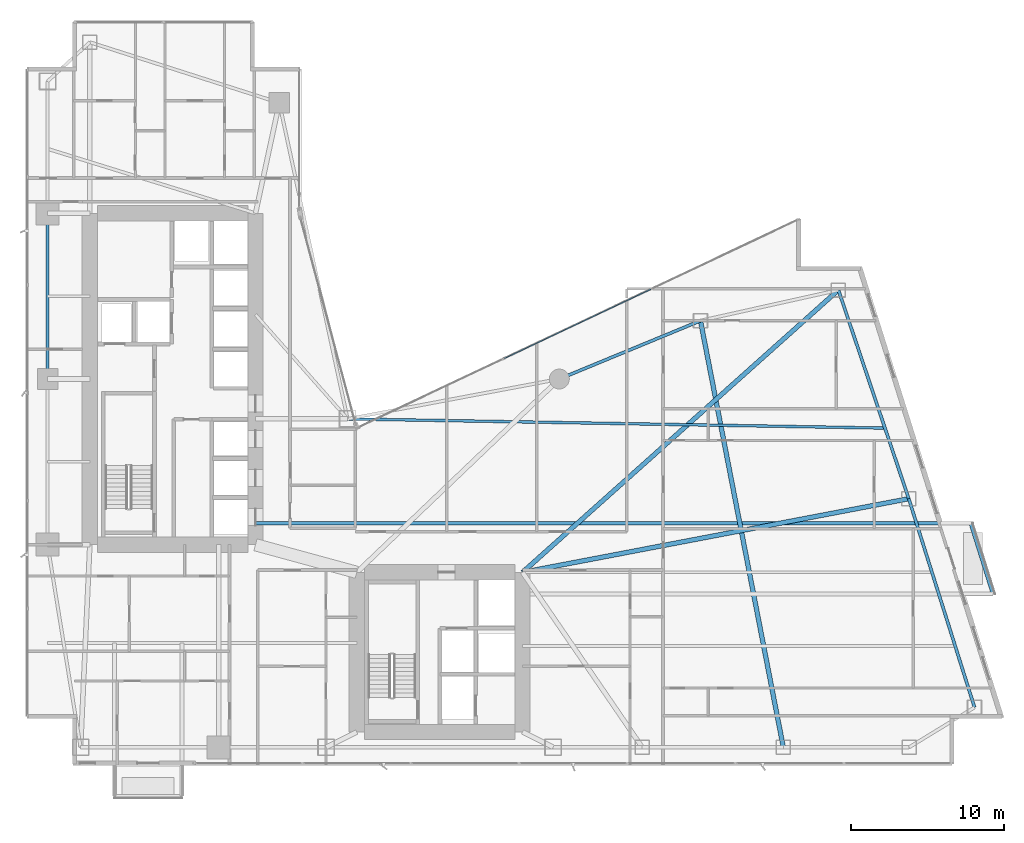
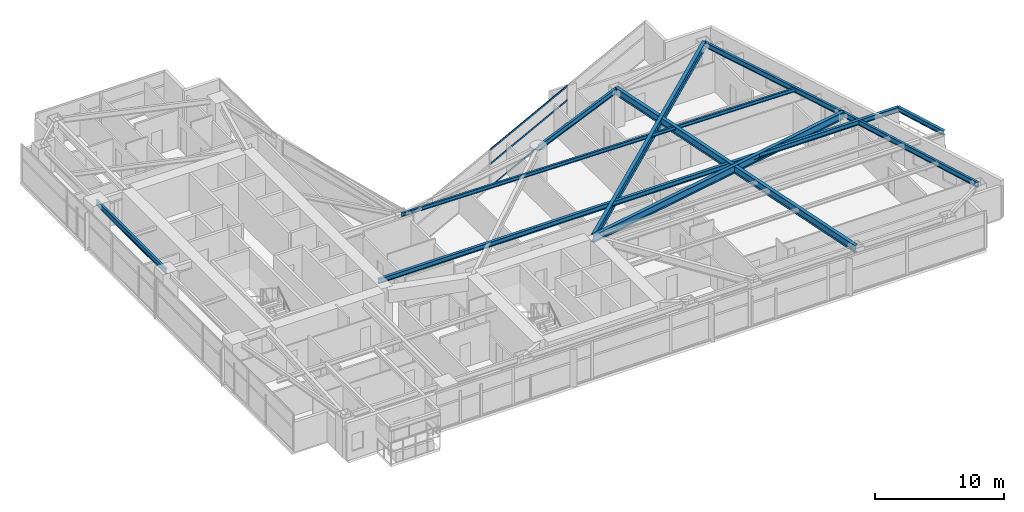
# One storey, part 15 of 29: 10 beams, 3 members, 1 element without a shape of its own.
"""IFC4 building model written with IfcOpenShell, lengths in metres."""

import ifcopenshell
import ifcopenshell.guid

model = None  # the IFC model being written
_history = None  # IfcOwnerHistory: only IFC2X3 demands one
_inside = {}  # id of a spatial element -> (the spatial element, [elements in it])
_under = {}  # id of a project, library or spatial element -> (it, [spatial elements below it])
_declared = {}  # id of a project -> (the project, [libraries it declares])
_typed = {}  # id of a type object -> (the type object, [elements of that type])
_made_of = {}  # id of a material, layer set ... -> (it, [elements and type objects made of it])


def new_model(schema):
    """Start an empty IFC model of exactly this schema.

    Asked for "IFC4X3", IfcOpenShell would pick the latest addendum, in which some entities
    have other attributes; the version numbers below select the first issue.
    IFC2X3 requires an IfcOwnerHistory on every rooted entity: one is made here for all.
    """
    global model, _history
    if schema == "IFC4X3":
        model = ifcopenshell.file(schema_version=(4, 3, 0, 0))
    else:
        model = ifcopenshell.file(schema=schema)
    _inside.clear()
    _under.clear()
    _declared.clear()
    _typed.clear()
    _made_of.clear()
    _history = None
    if model.schema == "IFC2X3":
        org = make("IfcOrganization", Name="unknown")
        user = make(
            "IfcPersonAndOrganization",
            ThePerson=make("IfcPerson", FamilyName="unknown"),
            TheOrganization=org,
        )
        app = make(
            "IfcApplication",
            ApplicationDeveloper=org,
            Version="unknown",
            ApplicationFullName="unknown",
            ApplicationIdentifier="unknown",
        )
        _history = make(
            "IfcOwnerHistory",
            OwningUser=user,
            OwningApplication=app,
            ChangeAction="ADDED",
            CreationDate=0,
        )
    return model


def make(cls, **values):
    """One entity of the class cls with the attributes given. An attribute that is None is left unset."""
    return model.create_entity(
        cls, **{name: value for name, value in values.items() if value is not None}
    )


def rooted(cls, **values):
    """An entity with a GlobalId (a new one), such as an element, a storey or a relation."""
    return make(cls, GlobalId=ifcopenshell.guid.new(), OwnerHistory=_history, **values)


def si_unit(unit_type, name, prefix=None):
    """IfcSIUnit, for example si_unit("LENGTHUNIT", "METRE", prefix="MILLI")."""
    return make("IfcSIUnit", UnitType=unit_type, Prefix=prefix, Name=name)


def assignment(units):
    """IfcUnitAssignment: the units of a project."""
    return None if units is None else make("IfcUnitAssignment", Units=units)


def point(xyz):
    """IfcCartesianPoint."""
    return None if xyz is None else make("IfcCartesianPoint", Coordinates=xyz)


def direction(xyz):
    """IfcDirection."""
    return None if xyz is None else make("IfcDirection", DirectionRatios=xyz)


def frame(location, z_axis=None, x_axis=None):
    """IfcAxis2Placement3D, a coordinate frame: its origin and axes. An axis left out is left unset."""
    return make(
        "IfcAxis2Placement3D",
        Location=point(location),
        Axis=direction(z_axis),
        RefDirection=direction(x_axis),
    )


def frame_2d(location, x_axis=None):
    """IfcAxis2Placement2D, a coordinate frame in the plane: its origin and x axis."""
    return make(
        "IfcAxis2Placement2D", Location=point(location), RefDirection=direction(x_axis)
    )


def origin():
    """The frame at (0, 0, 0) with its axes left unset."""
    return frame((0.0, 0.0, 0.0))


def origin_2d():
    """The frame at (0, 0) in the plane with its x axis left unset."""
    return frame_2d((0.0, 0.0))


def place(relative_to, where):
    """IfcLocalPlacement: puts the frame where relative to a parent placement (None: the world)."""
    return make(
        "IfcLocalPlacement", PlacementRelTo=relative_to, RelativePlacement=where
    )


def context(
    kind, dimensions, precision=None, world=None, true_north=None, identifier=None
):
    """IfcGeometricRepresentationContext, for example the 3D "Model" context."""
    return make(
        "IfcGeometricRepresentationContext",
        ContextIdentifier=identifier,
        ContextType=kind,
        CoordinateSpaceDimension=dimensions,
        Precision=precision,
        WorldCoordinateSystem=world,
        TrueNorth=true_north,
    )


def subcontext(parent, identifier, kind, view, scale=None):
    """IfcGeometricRepresentationSubContext, for example "Body" below "Model"."""
    return make(
        "IfcGeometricRepresentationSubContext",
        ContextIdentifier=identifier,
        ContextType=kind,
        ParentContext=parent,
        TargetScale=scale,
        TargetView=view,
    )


def project(units=None, contexts=None):
    """IfcProject with its units and contexts."""
    return rooted(
        "IfcProject",
        Name="project",
        RepresentationContexts=contexts,
        UnitsInContext=assignment(units),
    )


def spatial(cls, under=None, at=None, **own):
    """A site, building, storey or space (cls), placed at a placement, below another one or the project."""
    s = rooted(cls, ObjectPlacement=at, **own)
    if under is not None:
        _under.setdefault(under.id(), (under, []))[1].append(s)
    return s


def profile(cls, at=None, kind="AREA", **sizes):
    """A parametric profile (cls). Its sizes go by their IFC names, for example OverallWidth=200.0."""
    return make(cls, ProfileType=kind, Position=at, **sizes)


def hollow_rectangle(**sizes):
    """IfcRectangleHollowProfileDef."""
    return profile("IfcRectangleHollowProfileDef", **sizes)


def i_section(**sizes):
    """IfcIShapeProfileDef."""
    return profile("IfcIShapeProfileDef", **sizes)


def extrude(swept, where, along, depth):
    """IfcExtrudedAreaSolid: the profile swept, set in the frame where, extruded along a direction by depth."""
    return make(
        "IfcExtrudedAreaSolid",
        SweptArea=swept,
        Position=where,
        ExtrudedDirection=direction(along),
        Depth=depth,
    )


def shape(context_of_items, identifier, shape_type, items):
    """IfcShapeRepresentation: the items that make up one representation, for example the "Body"."""
    return make(
        "IfcShapeRepresentation",
        ContextOfItems=context_of_items,
        RepresentationIdentifier=identifier,
        RepresentationType=shape_type,
        Items=items,
    )


def material(Name=None, Category=None):
    """IfcMaterial."""
    return make("IfcMaterial", Name=Name, Category=Category)


def layer(
    of_material, thickness, ventilated=None, Name=None, Category=None, Priority=None
):
    """IfcMaterialLayer: one layer of a wall or slab, of a material (None: an air gap)."""
    return make(
        "IfcMaterialLayer",
        Material=of_material,
        LayerThickness=thickness,
        IsVentilated=ventilated,
        Name=Name,
        Category=Category,
        Priority=Priority,
    )


def layer_set(layers, Name=None):
    """IfcMaterialLayerSet."""
    return make("IfcMaterialLayerSet", MaterialLayers=layers, LayerSetName=Name)


def material_profile(
    of_material, cross_section, Name=None, Category=None, Priority=None
):
    """IfcMaterialProfile: a cross section and its material."""
    return make(
        "IfcMaterialProfile",
        Name=Name,
        Material=of_material,
        Profile=cross_section,
        Priority=Priority,
        Category=Category,
    )


def profile_set(profiles, Name=None, composite=None):
    """IfcMaterialProfileSet."""
    return make(
        "IfcMaterialProfileSet",
        Name=Name,
        MaterialProfiles=profiles,
        CompositeProfile=composite,
    )


def made_of(thing, what):
    """Note that an element or type object is made of a material, layer set ...; save() writes the relation."""
    if what is not None:
        _made_of.setdefault(what.id(), (what, []))[1].append(thing)
    return thing


def type_object(cls, material=None, **own):
    """A type object (cls), such as IfcWallType, which elements share."""
    return made_of(rooted(cls, **own), material)


def element(
    cls,
    number,
    at=None,
    inside=None,
    cuts=None,
    type_object=None,
    material=None,
    context=None,
    identifier="Body",
    shape_type=None,
    held_by="IfcProductDefinitionShape",
    body=None,
    shapes=None,
    **own,
):
    """One element of the class cls, such as IfcWall. Its Tag is "e" and its number.

    at: its placement. inside: the storey or other place that contains it. cuts: it is an
    opening in that element (IfcRelVoidsElement). A single representation is given by context,
    identifier, shape_type and body (its items); several are given by shapes. held_by: the class
    of the entity that holds the representations. save() writes the other relations.
    """
    e = rooted(cls, Tag="e%d" % number, ObjectPlacement=at, **own)
    if body is not None:
        shapes = [shape(context, identifier, shape_type, body)]
    if shapes is not None:
        e.Representation = make(held_by, Representations=shapes)
    if inside is not None:
        _inside.setdefault(inside.id(), (inside, []))[1].append(e)
    if cuts is not None:
        rooted(
            "IfcRelVoidsElement", RelatingBuildingElement=cuts, RelatedOpeningElement=e
        )
    if type_object is not None:
        _typed.setdefault(type_object.id(), (type_object, []))[1].append(e)
    return made_of(e, material)


def aggregate(whole, parts):
    """IfcRelAggregates: a whole, such as a stair, and the parts it consists of."""
    return rooted("IfcRelAggregates", RelatingObject=whole, RelatedObjects=parts)


def save(model, path):
    """Write the relations noted so far, then the file.

    IfcRelAggregates (storeys below a building ...), IfcRelContainedInSpatialStructure (elements
    in a storey), IfcRelDefinesByType, IfcRelAssociatesMaterial and IfcRelDeclares: one each for
    every whole, place, type object, material and project.
    """
    for whole, parts in _under.values():
        aggregate(whole, parts)
    for where, things in _inside.values():
        rooted(
            "IfcRelContainedInSpatialStructure",
            RelatedElements=things,
            RelatingStructure=where,
        )
    for kind, things in _typed.values():
        rooted("IfcRelDefinesByType", RelatedObjects=things, RelatingType=kind)
    for what, things in _made_of.values():
        rooted("IfcRelAssociatesMaterial", RelatedObjects=things, RelatingMaterial=what)
    for by, libraries in _declared.values():
        rooted("IfcRelDeclares", RelatingContext=by, RelatedDefinitions=libraries)
    model.write(path)


model = new_model("IFC4")

# Units and contexts
model_context = context("Model", 3, precision=1e-05, world=origin(), true_north=direction((0.0, 1.0)))
body_context = subcontext(model_context, "Body", "Model", "MODEL_VIEW")
ifc_project = project(units=[si_unit("LENGTHUNIT", "METRE"), si_unit("AREAUNIT", "SQUARE_METRE"), si_unit("VOLUMEUNIT", "CUBIC_METRE"), si_unit("PLANEANGLEUNIT", "RADIAN"), si_unit("MASSUNIT", "GRAM", prefix="KILO")], contexts=[model_context])

# Site, building, storey
site_placement = place(None, origin())
site = spatial("IfcSite", under=ifc_project, at=site_placement, CompositionType="ELEMENT")
building_placement = place(site_placement, origin())
building = spatial("IfcBuilding", under=site, at=building_placement, Name="Calvorn Quay Hotel", CompositionType="ELEMENT")
storey_placement = place(building_placement, frame((0.0, 0.0, 58.39990234375)))
storey = spatial("IfcBuildingStorey", under=building, at=storey_placement, Name="L13", CompositionType="ELEMENT", Elevation=58.39990234375)

# Beams
ifc_material_1 = material(Name="Steel Q355B", Category="steel")
ifc_material_profile_1 = material_profile(ifc_material_1, i_section(OverallWidth=0.25, OverallDepth=0.449951171875, WebThickness=0.011962890625, FlangeThickness=0.01611328125, FilletRadius=0.01611328125, at=origin_2d()), Name="HN450x250x12x16")
ifc_profile_set_1 = profile_set([ifc_material_profile_1], Name="Steel Q355B")
beam_type_1 = type_object("IfcBeamType", Name="BM-CANT-BALC", PredefinedType="BEAM", material=ifc_profile_set_1)
beam_1_placement = place(storey_placement, frame((15.0, 18.199951171875, 3.315185546875), z_axis=(1.0, 0.0, 0.0), x_axis=(0.0, 1.0, 0.0)))
element("IfcBeam", 1, at=beam_1_placement, inside=storey, type_object=beam_type_1, Name="Cantilever Balcony Beam BCB-L14-1B", PredefinedType="BEAM", context=body_context, shape_type="SweptSolid", body=[
    extrude(i_section(OverallWidth=0.25, OverallDepth=0.449951171875, WebThickness=0.011962890625, FlangeThickness=0.01611328125, FilletRadius=0.01611328125, at=origin_2d()), origin(), (0.0, 0.0, 1.0), 46.6201171875),
])
beam_2_placement = place(storey_placement, frame((63.069091796875, 13.60009765625, 3.315185546875), z_axis=(-0.300450487966, 0.953797412599, 0.0), x_axis=(-0.953797412599, -0.300450487966, 0.0)))
element("IfcBeam", 2, at=beam_2_placement, inside=storey, type_object=beam_type_1, Name="Beam BCBO-L14-1", PredefinedType="BEAM", context=body_context, shape_type="SweptSolid", body=[
    extrude(i_section(OverallWidth=0.25, OverallDepth=0.449951171875, WebThickness=0.011962890625, FlangeThickness=0.01611328125, FilletRadius=0.01611328125, at=origin_2d()), origin(), (0.0, 0.0, 1.0), 4.82275390625),
])
ifc_material_2 = material(Name="Steel Q390GJC", Category="steel")
ifc_material_profile_2 = material_profile(ifc_material_2, i_section(OverallWidth=0.300048828125, OverallDepth=0.699951171875, WebThickness=0.012939453125, FlangeThickness=0.02392578125, FilletRadius=0.02392578125, at=origin_2d()), Name="HN700x300x13x24")
ifc_profile_set_2 = profile_set([ifc_material_profile_2], Name="Steel Q390GJC")
beam_type_2 = type_object("IfcBeamType", Name="BM-GIRD-MAIN", PredefinedType="BEAM", material=ifc_profile_set_2)
beam_3_placement = place(storey_placement, frame((32.39990234375, 15.0, 3.190185546875), z_axis=(0.982305450614, 0.18728588226, 0.0), x_axis=(-0.18728588226, 0.982305450614, 0.0)))
element("IfcBeam", 3, at=beam_3_placement, inside=storey, type_object=beam_type_2, Name="Beam BG-L13-E2", PredefinedType="BEAM", context=body_context, shape_type="SweptSolid", body=[
    extrude(i_section(OverallWidth=0.300048828125, OverallDepth=0.699951171875, WebThickness=0.012939453125, FlangeThickness=0.02392578125, FilletRadius=0.02392578125, at=origin_2d()), origin(), (0.0, 0.0, 1.0), 25.629638671875),
])
beam_4_placement = place(storey_placement, frame((32.39990234375, 15.0, 3.190185546875), z_axis=(0.745667316004, 0.666318432766, 0.0), x_axis=(-0.666318432766, 0.745667316004, 0.0)))
element("IfcBeam", 4, at=beam_4_placement, inside=storey, type_object=beam_type_2, Name="Beam BG-L13-E3", PredefinedType="BEAM", context=body_context, shape_type="SweptSolid", body=[
    extrude(i_section(OverallWidth=0.300048828125, OverallDepth=0.699951171875, WebThickness=0.012939453125, FlangeThickness=0.02392578125, FilletRadius=0.02392578125, at=origin_2d()), origin(), (0.0, 0.0, 1.0), 27.6142578125),
])
beam_5_placement = place(storey_placement, frame((49.39990234375, 3.60009765625, 3.190185546875), z_axis=(-0.190678596862, 0.981652521363, 0.0), x_axis=(-0.981652521363, -0.190678596862, 0.0)))
element("IfcBeam", 5, at=beam_5_placement, inside=storey, type_object=beam_type_2, Name="Beam BG-L13-E5", PredefinedType="BEAM", context=body_context, shape_type="SweptSolid", body=[
    extrude(i_section(OverallWidth=0.300048828125, OverallDepth=0.699951171875, WebThickness=0.012939453125, FlangeThickness=0.02392578125, FilletRadius=0.02392578125, at=origin_2d()), origin(), (0.0, 0.0, 1.0), 28.3193359375),
])
ifc_material_3 = material(Name="Steel Q355B", Category="steel")
ifc_material_profile_3 = material_profile(ifc_material_3, i_section(OverallWidth=0.175048828125, OverallDepth=0.35009765625, WebThickness=0.007080078125, FlangeThickness=0.010986328125, FilletRadius=0.013916015625, at=origin_2d()), Name="HN350x175x7x11")
ifc_profile_set_3 = profile_set([ifc_material_profile_3], Name="Steel Q355B")
beam_type_3 = type_object("IfcBeamType", Name="BM-JOIST-SEC", PredefinedType="JOIST", material=ifc_profile_set_3)
beam_6_placement = place(storey_placement, frame((21.0, 25.0, 3.364990234375), z_axis=(0.999854105858, -0.017081188436, 0.0), x_axis=(0.017081188436, 0.999854105858, 0.0)))
element("IfcBeam", 6, at=beam_6_placement, inside=storey, type_object=beam_type_3, Name="Beam BJ-L13-E3", PredefinedType="JOIST", context=body_context, shape_type="SweptSolid", body=[
    extrude(i_section(OverallWidth=0.175048828125, OverallDepth=0.35009765625, WebThickness=0.007080078125, FlangeThickness=0.010986328125, FilletRadius=0.013916015625, at=origin_2d()), origin(), (0.0, 0.0, 1.0), 35.132080078125),
])
ifc_material_4 = material(Name="Steel Q355B", Category="steel")
ifc_material_profile_4 = material_profile(ifc_material_4, i_section(OverallWidth=0.199951171875, OverallDepth=0.5, WebThickness=0.010009765625, FlangeThickness=0.01611328125, FilletRadius=0.01611328125, at=origin_2d()), Name="HN500x200x10x16")
ifc_profile_set_4 = profile_set([ifc_material_profile_4], Name="Steel Q355B")
beam_type_4 = type_object("IfcBeamType", Name="BM-SPANDREL-Z1", PredefinedType="SPANDREL", material=ifc_profile_set_4)
beam_7_placement = place(storey_placement, frame((1.449951171875, 27.60009765625, 3.2900390625), z_axis=(0.0, 1.0, 0.0), x_axis=(-1.0, 0.0, 0.0)))
element("IfcBeam", 7, at=beam_7_placement, inside=storey, type_object=beam_type_4, Name="Beam BSP-L13-W3", PredefinedType="SPANDREL", context=body_context, shape_type="SweptSolid", body=[
    extrude(i_section(OverallWidth=0.199951171875, OverallDepth=0.5, WebThickness=0.010009765625, FlangeThickness=0.01611328125, FilletRadius=0.01611328125, at=origin_2d()), origin(), (0.0, 0.0, 1.0), 10.7998046875),
])
beam_8_placement = place(storey_placement, frame((61.861083984375, 6.199951171875, 3.2900390625), z_axis=(-0.300518378216, 0.953776024208, 0.0), x_axis=(-0.953776024208, -0.300518378216, 0.0)))
element("IfcBeam", 8, at=beam_8_placement, inside=storey, type_object=beam_type_4, Name="Beam BSP-L13-E1", PredefinedType="SPANDREL", context=body_context, shape_type="SweptSolid", body=[
    extrude(i_section(OverallWidth=0.199951171875, OverallDepth=0.5, WebThickness=0.010009765625, FlangeThickness=0.01611328125, FilletRadius=0.01611328125, at=origin_2d()), origin(), (0.0, 0.0, 1.0), 14.25927734375),
])
beam_9_placement = place(storey_placement, frame((57.575927734375, 19.800048828125, 3.2900390625), z_axis=(-0.319466515944, 0.947597564998, 0.0), x_axis=(-0.947597564998, -0.319466515944, 0.0)))
element("IfcBeam", 9, at=beam_9_placement, inside=storey, type_object=beam_type_4, Name="Beam BSP-L13-E2", PredefinedType="SPANDREL", context=body_context, shape_type="SweptSolid", body=[
    extrude(i_section(OverallWidth=0.199951171875, OverallDepth=0.5, WebThickness=0.010009765625, FlangeThickness=0.01611328125, FilletRadius=0.01611328125, at=origin_2d()), origin(), (0.0, 0.0, 1.0), 14.35205078125),
])
beam_10_placement = place(storey_placement, frame((44.0, 31.39990234375, 3.2900390625), z_axis=(-0.92426763497, -0.381745123017, 0.0), x_axis=(0.381745123017, -0.92426763497, 0.0)))
element("IfcBeam", 10, at=beam_10_placement, inside=storey, type_object=beam_type_4, Name="Beam BSP-L13-E4", PredefinedType="SPANDREL", context=body_context, shape_type="SweptSolid", body=[
    extrude(i_section(OverallWidth=0.199951171875, OverallDepth=0.5, WebThickness=0.010009765625, FlangeThickness=0.01611328125, FilletRadius=0.01611328125, at=origin_2d()), origin(), (0.0, 0.0, 1.0), 9.953857421875),
])

# Curtain wall, members
ifc_material_5 = material(Name="Pale Anodised Aluminium and Low-E Glass", Category="aluminium")
ifc_layer = layer(ifc_material_5, 0.219970703125)
ifc_layer_set = layer_set([ifc_layer], Name="CW-SYS-Z1")
curtain_wall_type = type_object("IfcCurtainWallType", Name="CW-SYS-Z1", PredefinedType="NOTDEFINED", material=ifc_layer_set)
curtain_wall_placement = place(storey_placement, origin())
curtain_wall = element("IfcCurtainWall", 11, at=curtain_wall_placement, inside=storey, type_object=curtain_wall_type, Name="Inner Court Curtain Wall L13-NE1", PredefinedType="NOTDEFINED")
ifc_material_6 = material(Name="Pale Anodised Aluminium 6063-T6", Category="aluminium")
ifc_material_profile_5 = material_profile(ifc_material_6, hollow_rectangle(XDim=0.06494140625, YDim=0.1650390625, WallThickness=0.00341796875, at=origin_2d()), Name="ALU-T165x65x3.5")
ifc_profile_set_5 = profile_set([ifc_material_profile_5], Name="Pale Anodised Aluminium 6063-T6")
member_type = type_object("IfcMemberType", Name="CW-SYS-Z1-TRN", PredefinedType="USERDEFINED", material=ifc_profile_set_5)
member_1_placement = place(storey_placement, frame((40.77294921875, 33.453857421875, 0.030029296875), z_axis=(-0.904247654564, -0.427008406493, 0.0), x_axis=(0.427008406493, -0.904247654564, 0.0)))
member_1 = element("IfcMember", 12, at=member_1_placement, type_object=member_type, Name="CW-L13-NE1 transom 2.1", ObjectType="TRANSOM", PredefinedType="USERDEFINED", context=body_context, shape_type="SweptSolid", body=[
    extrude(hollow_rectangle(XDim=0.06494140625, YDim=0.1650390625, WallThickness=0.00341796875, at=origin_2d()), origin(), (0.0, 0.0, 1.0), 10.556640625),
])
member_2_placement = place(storey_placement, frame((40.77294921875, 33.453857421875, 2.2001953125), z_axis=(-0.904247654564, -0.427008406493, 0.0), x_axis=(0.427008406493, -0.904247654564, 0.0)))
member_2 = element("IfcMember", 13, at=member_2_placement, type_object=member_type, Name="CW-L13-NE1 transom 2.2", ObjectType="TRANSOM", PredefinedType="USERDEFINED", context=body_context, shape_type="SweptSolid", body=[
    extrude(hollow_rectangle(XDim=0.06494140625, YDim=0.1650390625, WallThickness=0.00341796875, at=origin_2d()), origin(), (0.0, 0.0, 1.0), 10.556640625),
])
member_3_placement = place(storey_placement, frame((40.77294921875, 33.453857421875, 3.530029296875), z_axis=(-0.904247654564, -0.427008406493, 0.0), x_axis=(0.427008406493, -0.904247654564, 0.0)))
member_3 = element("IfcMember", 14, at=member_3_placement, type_object=member_type, Name="CW-L13-NE1 transom 2.3", ObjectType="TRANSOM", PredefinedType="USERDEFINED", context=body_context, shape_type="SweptSolid", body=[
    extrude(hollow_rectangle(XDim=0.06494140625, YDim=0.1650390625, WallThickness=0.00341796875, at=origin_2d()), origin(), (0.0, 0.0, 1.0), 10.556640625),
])
aggregate(curtain_wall, [member_1, member_2, member_3])

save(model, "model.ifc")
